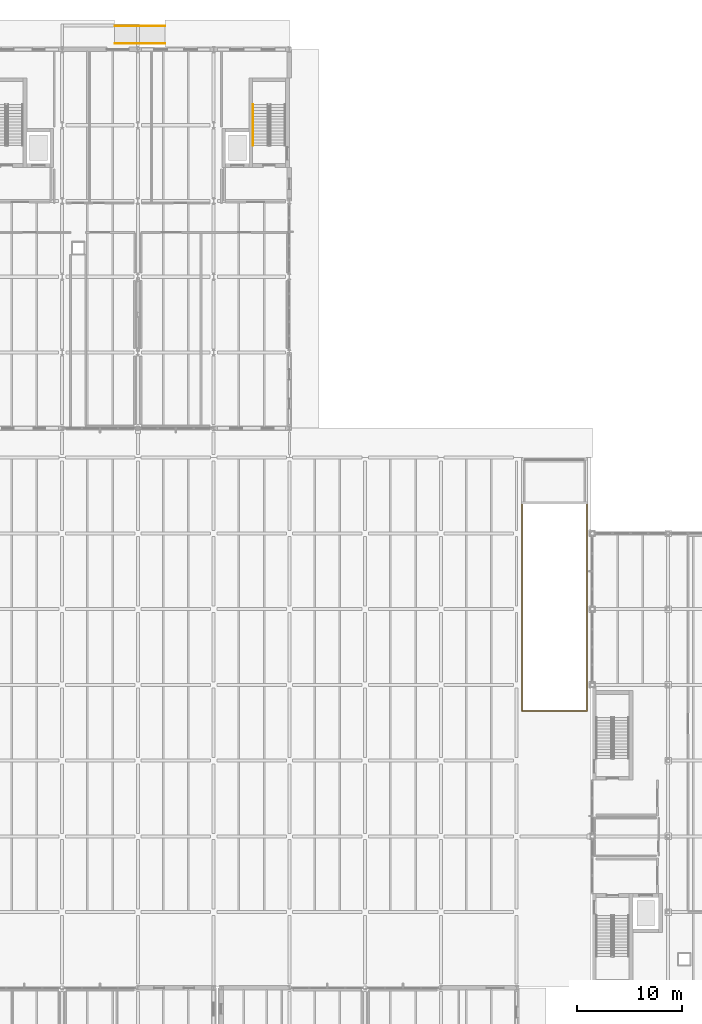
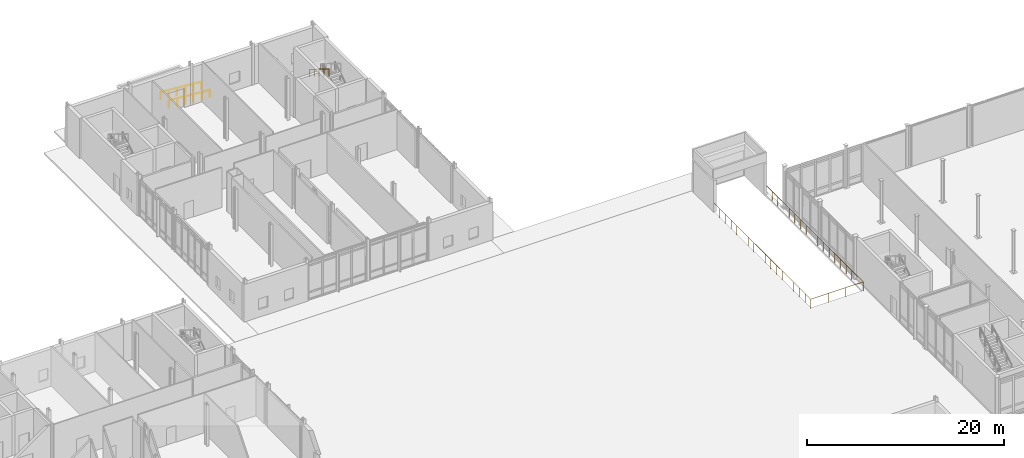
# One storey, part 85 of 89: 4 railings.
"""IFC4 building model written with IfcOpenShell, lengths in metres."""

from ifc_helpers import new_model, si_unit, direction, frame, origin, origin_2d, place, context, subcontext, project, spatial, circle, extrude, material, layer, layer_set, type_object, element, save


model = new_model("IFC4")

# Units and contexts
model_context = context("Model", 3, precision=1e-05, world=origin(), true_north=direction((0.0, 1.0)))
body_context = subcontext(model_context, "Body", "Model", "MODEL_VIEW")
ifc_project = project(units=[si_unit("LENGTHUNIT", "METRE"), si_unit("AREAUNIT", "SQUARE_METRE"), si_unit("VOLUMEUNIT", "CUBIC_METRE"), si_unit("PLANEANGLEUNIT", "RADIAN"), si_unit("MASSUNIT", "GRAM", prefix="KILO")], contexts=[model_context])

# Site, building, storey
site_placement = place(None, origin())
site = spatial("IfcSite", under=ifc_project, at=site_placement, CompositionType="ELEMENT")
building_placement = place(site_placement, origin())
building = spatial("IfcBuilding", under=site, at=building_placement, Name="Zarrinpeak Specialist Clinic", CompositionType="ELEMENT")
storey_placement = place(building_placement, origin())
storey = spatial("IfcBuildingStorey", under=building, at=storey_placement, Name="L00", CompositionType="ELEMENT", Elevation=0.0)

# Railings
ifc_material_1 = material(Name="Laminated Safety Glass and Stainless Steel 316", Category="steel")
ifc_layer_1 = layer(ifc_material_1, 0.06005859375)
ifc_layer_set_1 = layer_set([ifc_layer_1], Name="Laminated Safety Glass and Stainless Steel 316")
railing_type_1 = type_object("IfcRailingType", Name="RL-GRD115", PredefinedType="GUARDRAIL", material=ifc_layer_set_1)
railing_1_placement = place(storey_placement, frame((86.919921875, 74.800048828125, 0.0)))
element("IfcRailing", 1, at=railing_1_placement, inside=storey, type_object=railing_type_1, Name="L00 Vehicle Ramp Void Perimeter Guardrail", PredefinedType="GUARDRAIL", context=body_context, shape_type="SweptSolid", body=[
    extrude(circle(Radius=0.02392578125, at=origin_2d()), frame((0.0, 0.0, 1.1259765625), z_axis=(0.0, -1.0, 0.0), x_axis=(1.0, 0.0, 0.0)), (0.0, 0.0, 1.0), 19.679931640625),
    extrude(circle(Radius=0.02392578125, at=origin_2d()), frame((0.0, -19.679931640625, 1.1259765625), z_axis=(1.0, 0.0, 0.0), x_axis=(0.0, 1.0, 0.0)), (0.0, 0.0, 1.0), 6.16015625),
    extrude(circle(Radius=0.02392578125, at=origin_2d()), frame((6.16015625, -19.679931640625, 1.1259765625), z_axis=(0.0, 1.0, 0.0), x_axis=(-1.0, 0.0, 0.0)), (0.0, 0.0, 1.0), 19.679931640625),
    extrude(circle(Radius=0.02099609375, at=origin_2d()), origin(), (0.0, 0.0, 1.0), 1.101806640625),
    extrude(circle(Radius=0.02099609375, at=origin_2d()), frame((0.0, -1.15771484375, 0.0)), (0.0, 0.0, 1.0), 1.101806640625),
    extrude(circle(Radius=0.02099609375, at=origin_2d()), frame((0.0, -2.315185546875, 0.0)), (0.0, 0.0, 1.0), 1.101806640625),
    extrude(circle(Radius=0.02099609375, at=origin_2d()), frame((0.0, -3.472900390625, 0.0)), (0.0, 0.0, 1.0), 1.101806640625),
    extrude(circle(Radius=0.02099609375, at=origin_2d()), frame((0.0, -4.630615234375, 0.0)), (0.0, 0.0, 1.0), 1.101806640625),
    extrude(circle(Radius=0.02099609375, at=origin_2d()), frame((0.0, -5.788330078125, 0.0)), (0.0, 0.0, 1.0), 1.101806640625),
    extrude(circle(Radius=0.02099609375, at=origin_2d()), frame((0.0, -6.94580078125, 0.0)), (0.0, 0.0, 1.0), 1.101806640625),
    extrude(circle(Radius=0.02099609375, at=origin_2d()), frame((0.0, -8.103515625, 0.0)), (0.0, 0.0, 1.0), 1.101806640625),
    extrude(circle(Radius=0.02099609375, at=origin_2d()), frame((0.0, -9.26123046875, 0.0)), (0.0, 0.0, 1.0), 1.101806640625),
    extrude(circle(Radius=0.02099609375, at=origin_2d()), frame((0.0, -10.418701171875, 0.0)), (0.0, 0.0, 1.0), 1.101806640625),
    extrude(circle(Radius=0.02099609375, at=origin_2d()), frame((0.0, -11.576416015625, 0.0)), (0.0, 0.0, 1.0), 1.101806640625),
    extrude(circle(Radius=0.02099609375, at=origin_2d()), frame((0.0, -12.734130859375, 0.0)), (0.0, 0.0, 1.0), 1.101806640625),
    extrude(circle(Radius=0.02099609375, at=origin_2d()), frame((0.0, -13.8916015625, 0.0)), (0.0, 0.0, 1.0), 1.101806640625),
    extrude(circle(Radius=0.02099609375, at=origin_2d()), frame((0.0, -15.04931640625, 0.0)), (0.0, 0.0, 1.0), 1.101806640625),
    extrude(circle(Radius=0.02099609375, at=origin_2d()), frame((0.0, -16.20703125, 0.0)), (0.0, 0.0, 1.0), 1.101806640625),
    extrude(circle(Radius=0.02099609375, at=origin_2d()), frame((0.0, -17.36474609375, 0.0)), (0.0, 0.0, 1.0), 1.101806640625),
    extrude(circle(Radius=0.02099609375, at=origin_2d()), frame((0.0, -18.522216796875, 0.0)), (0.0, 0.0, 1.0), 1.101806640625),
    extrude(circle(Radius=0.02099609375, at=origin_2d()), frame((0.0, -19.679931640625, 0.0)), (0.0, 0.0, 1.0), 1.101806640625),
    extrude(circle(Radius=0.02099609375, at=origin_2d()), frame((1.026611328125, -19.679931640625, 0.0)), (0.0, 0.0, 1.0), 1.101806640625),
    extrude(circle(Radius=0.02099609375, at=origin_2d()), frame((2.053466796875, -19.679931640625, 0.0)), (0.0, 0.0, 1.0), 1.101806640625),
    extrude(circle(Radius=0.02099609375, at=origin_2d()), frame((3.080078125, -19.679931640625, 0.0)), (0.0, 0.0, 1.0), 1.101806640625),
    extrude(circle(Radius=0.02099609375, at=origin_2d()), frame((4.106689453125, -19.679931640625, 0.0)), (0.0, 0.0, 1.0), 1.101806640625),
    extrude(circle(Radius=0.02099609375, at=origin_2d()), frame((5.133544921875, -19.679931640625, 0.0)), (0.0, 0.0, 1.0), 1.101806640625),
    extrude(circle(Radius=0.02099609375, at=origin_2d()), frame((6.16015625, -19.679931640625, 0.0)), (0.0, 0.0, 1.0), 1.101806640625),
    extrude(circle(Radius=0.02099609375, at=origin_2d()), frame((6.16015625, -18.522216796875, 0.0)), (0.0, 0.0, 1.0), 1.101806640625),
    extrude(circle(Radius=0.02099609375, at=origin_2d()), frame((6.16015625, -17.36474609375, 0.0)), (0.0, 0.0, 1.0), 1.101806640625),
    extrude(circle(Radius=0.02099609375, at=origin_2d()), frame((6.16015625, -16.20703125, 0.0)), (0.0, 0.0, 1.0), 1.101806640625),
    extrude(circle(Radius=0.02099609375, at=origin_2d()), frame((6.16015625, -15.04931640625, 0.0)), (0.0, 0.0, 1.0), 1.101806640625),
    extrude(circle(Radius=0.02099609375, at=origin_2d()), frame((6.16015625, -13.8916015625, 0.0)), (0.0, 0.0, 1.0), 1.101806640625),
    extrude(circle(Radius=0.02099609375, at=origin_2d()), frame((6.16015625, -12.734130859375, 0.0)), (0.0, 0.0, 1.0), 1.101806640625),
    extrude(circle(Radius=0.02099609375, at=origin_2d()), frame((6.16015625, -11.576416015625, 0.0)), (0.0, 0.0, 1.0), 1.101806640625),
    extrude(circle(Radius=0.02099609375, at=origin_2d()), frame((6.16015625, -10.418701171875, 0.0)), (0.0, 0.0, 1.0), 1.101806640625),
    extrude(circle(Radius=0.02099609375, at=origin_2d()), frame((6.16015625, -9.26123046875, 0.0)), (0.0, 0.0, 1.0), 1.101806640625),
    extrude(circle(Radius=0.02099609375, at=origin_2d()), frame((6.16015625, -8.103515625, 0.0)), (0.0, 0.0, 1.0), 1.101806640625),
    extrude(circle(Radius=0.02099609375, at=origin_2d()), frame((6.16015625, -6.94580078125, 0.0)), (0.0, 0.0, 1.0), 1.101806640625),
    extrude(circle(Radius=0.02099609375, at=origin_2d()), frame((6.16015625, -5.788330078125, 0.0)), (0.0, 0.0, 1.0), 1.101806640625),
    extrude(circle(Radius=0.02099609375, at=origin_2d()), frame((6.16015625, -4.630615234375, 0.0)), (0.0, 0.0, 1.0), 1.101806640625),
    extrude(circle(Radius=0.02099609375, at=origin_2d()), frame((6.16015625, -3.472900390625, 0.0)), (0.0, 0.0, 1.0), 1.101806640625),
    extrude(circle(Radius=0.02099609375, at=origin_2d()), frame((6.16015625, -2.315185546875, 0.0)), (0.0, 0.0, 1.0), 1.101806640625),
    extrude(circle(Radius=0.02099609375, at=origin_2d()), frame((6.16015625, -1.15771484375, 0.0)), (0.0, 0.0, 1.0), 1.101806640625),
    extrude(circle(Radius=0.02099609375, at=origin_2d()), frame((6.16015625, 0.0, 0.0)), (0.0, 0.0, 1.0), 1.101806640625),
])
ifc_material_2 = material(Name="Brushed Stainless Steel 316 Handrail", Category="steel")
ifc_layer_2 = layer(ifc_material_2, 0.050048828125)
ifc_layer_set_2 = layer_set([ifc_layer_2], Name="Brushed Stainless Steel 316 Handrail")
railing_type_2 = type_object("IfcRailingType", Name="RL-HND92", PredefinedType="HANDRAIL", material=ifc_layer_set_2)
for number, where, name in (
    (2, (53.0, 118.550048828125, -0.39990234375), "Accessible Ramp Handrail R-ACC5-L"),
    (3, (53.0, 120.25, -0.39990234375), "Accessible Ramp Handrail R-ACC5-R"),
):
    element("IfcRailing", number, at=place(storey_placement, frame(where)), inside=storey, type_object=railing_type_2, Name=name, PredefinedType="HANDRAIL", context=body_context, shape_type="SweptSolid", body=[
        extrude(circle(Radius=0.02392578125, at=origin_2d()), frame((0.0, 0.0, 0.89599609375), z_axis=(-0.996547505835, 0.0, 0.083024506106), x_axis=(0.0, -1.0, 0.0)), (0.0, 0.0, 1.0), 4.816650390625),
        extrude(circle(Radius=0.02099609375, at=origin_2d()), origin(), (0.0, 0.0, 1.0), 0.871826171875),
        extrude(circle(Radius=0.02099609375, at=origin_2d()), frame((-0.9599609375, 0.0, 0.080078125)), (0.0, 0.0, 1.0), 0.871826171875),
        extrude(circle(Radius=0.02099609375, at=origin_2d()), frame((-1.919921875, 0.0, 0.159912109375)), (0.0, 0.0, 1.0), 0.871826171875),
        extrude(circle(Radius=0.02099609375, at=origin_2d()), frame((-2.880126953125, 0.0, 0.239990234375)), (0.0, 0.0, 1.0), 0.871826171875),
        extrude(circle(Radius=0.02099609375, at=origin_2d()), frame((-3.840087890625, 0.0, 0.31982421875)), (0.0, 0.0, 1.0), 0.871826171875),
        extrude(circle(Radius=0.02099609375, at=origin_2d()), frame((-4.800048828125, 0.0, 0.39990234375)), (0.0, 0.0, 1.0), 0.871826171875),
    ])
railing_2_placement = place(storey_placement, frame((61.35009765625, 112.77001953125, 2.7734375)))
element("IfcRailing", 4, at=railing_2_placement, inside=storey, type_object=railing_type_2, Name="L00 ST-12 stair handrail 2", PredefinedType="HANDRAIL", context=body_context, shape_type="SweptSolid", body=[
    extrude(circle(Radius=0.02392578125, at=origin_2d()), frame((0.0, 0.0, 0.8759765625), z_axis=(0.0, -0.850275303828, 0.526338206574), x_axis=(1.0, 0.0, 0.0)), (0.0, 0.0, 1.0), 4.610107421875),
    extrude(circle(Radius=0.02099609375, at=origin_2d()), origin(), (0.0, 0.0, 1.0), 0.851806640625),
    extrude(circle(Radius=0.02099609375, at=origin_2d()), frame((0.0, -0.97998046875, 0.606689453125)), (0.0, 0.0, 1.0), 0.851806640625),
    extrude(circle(Radius=0.02099609375, at=origin_2d()), frame((0.0, -1.9599609375, 1.21337890625)), (0.0, 0.0, 1.0), 0.851806640625),
    extrude(circle(Radius=0.02099609375, at=origin_2d()), frame((0.0, -2.93994140625, 1.81982421875)), (0.0, 0.0, 1.0), 0.851806640625),
    extrude(circle(Radius=0.02099609375, at=origin_2d()), frame((0.0, -3.919921875, 2.426513671875)), (0.0, 0.0, 1.0), 0.851806640625),
])

save(model, "model.ifc")
